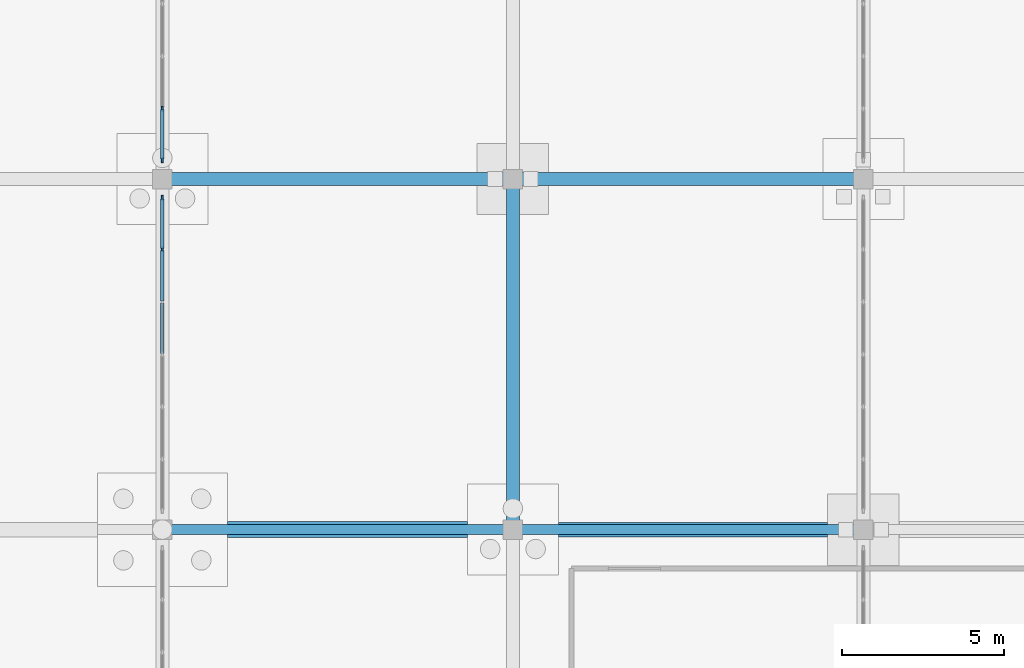
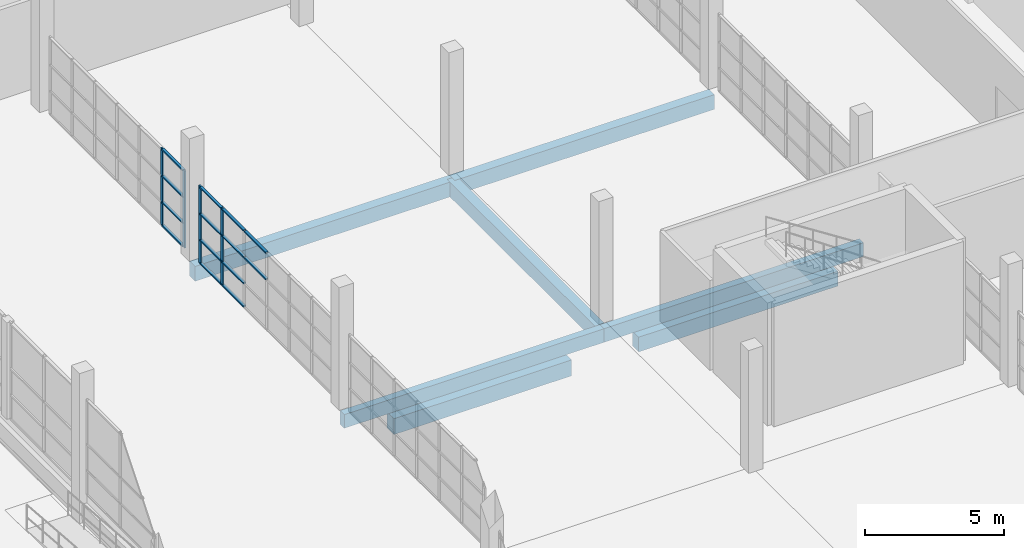
# One storey, part 40 of 138: 18 members, 7 beams, 2 elements without a shape of their own.
"""IFC4 building model written with IfcOpenShell, lengths in metres."""

from ifc_helpers import new_model, si_unit, direction, frame, origin, origin_2d, place, context, subcontext, project, spatial, rectangle, extrude, material, material_profile, profile_set, type_object, element, aggregate, save


model = new_model("IFC4")

# Units and contexts
model_context = context("Model", 3, precision=1e-05, world=origin(), true_north=direction((0.0, 1.0)))
body_context = subcontext(model_context, "Body", "Model", "MODEL_VIEW")
ifc_project = project(units=[si_unit("LENGTHUNIT", "METRE"), si_unit("AREAUNIT", "SQUARE_METRE"), si_unit("VOLUMEUNIT", "CUBIC_METRE"), si_unit("PLANEANGLEUNIT", "RADIAN"), si_unit("MASSUNIT", "GRAM", prefix="KILO")], contexts=[model_context])

# Site, building, storey
site_placement = place(None, origin())
site = spatial("IfcSite", under=ifc_project, at=site_placement, CompositionType="ELEMENT")
building_placement = place(site_placement, origin())
building = spatial("IfcBuilding", under=site, at=building_placement, Name="Zwinboog Wholesale Market", CompositionType="ELEMENT")
storey_placement = place(building_placement, origin())
storey = spatial("IfcBuildingStorey", under=building, at=storey_placement, Name="L00", CompositionType="ELEMENT", Elevation=0.0)

# Beams
ifc_material_1 = material(Name="Precast concrete C45/55", Category="concrete")
ifc_material_profile_1 = material_profile(ifc_material_1, rectangle(XDim=0.39990234375, YDim=0.64990234375, at=origin_2d()), Name="PC 400x650")
ifc_profile_set_1 = profile_set([ifc_material_profile_1], Name="Precast concrete C45/55")
beam_type_1 = type_object("IfcBeamType", Name="BT-05", PredefinedType="BEAM", material=ifc_profile_set_1)
beam_1_placement = place(storey_placement, frame((10.800048828125, 75.60009765625, -0.705078125), z_axis=(1.0, 0.0, 0.0), x_axis=(0.0, 1.0, 0.0)))
element("IfcBeam", 1, at=beam_1_placement, inside=storey, type_object=beam_type_1, Name="BG-05 (BMG-L00-0108-0756-0100)", PredefinedType="BEAM", context=body_context, shape_type="SweptSolid", body=[
    extrude(rectangle(XDim=0.39990234375, YDim=0.64990234375, at=origin_2d()), origin(), (0.0, 0.0, 1.0), 10.800048828125),
])
beam_2_placement = place(storey_placement, frame((21.60009765625, 75.60009765625, -0.705078125), z_axis=(1.0, 0.0, 0.0), x_axis=(0.0, 1.0, 0.0)))
element("IfcBeam", 2, at=beam_2_placement, inside=storey, type_object=beam_type_1, Name="BG-05 (BMG-L00-0216-0756-0101)", PredefinedType="BEAM", context=body_context, shape_type="SweptSolid", body=[
    extrude(rectangle(XDim=0.39990234375, YDim=0.64990234375, at=origin_2d()), origin(), (0.0, 0.0, 1.0), 10.7998046875),
])
beam_3_placement = place(storey_placement, frame((21.60009765625, 64.800048828125, -0.705078125), z_axis=(0.0, 1.0, 0.0), x_axis=(-1.0, 0.0, 0.0)))
element("IfcBeam", 3, at=beam_3_placement, inside=storey, type_object=beam_type_1, Name="BG-05 (BMG-L00-0216-0648-0241)", PredefinedType="BEAM", context=body_context, shape_type="SweptSolid", body=[
    extrude(rectangle(XDim=0.39990234375, YDim=0.64990234375, at=origin_2d()), origin(), (0.0, 0.0, 1.0), 10.800048828125),
])
ifc_material_profile_2 = material_profile(ifc_material_1, rectangle(XDim=0.300048828125, YDim=0.60009765625, at=origin_2d()), Name="PC 300x600")
ifc_profile_set_2 = profile_set([ifc_material_profile_2], Name="Precast concrete C45/55")
beam_type_2 = type_object("IfcBeamType", Name="BT-09", PredefinedType="SPANDREL", material=ifc_profile_set_2)
beam_4_placement = place(storey_placement, frame((10.800048828125, 64.800048828125, -0.679931640625), z_axis=(1.0, 0.0, 0.0), x_axis=(0.0, 1.0, 0.0)))
element("IfcBeam", 4, at=beam_4_placement, inside=storey, type_object=beam_type_2, Name="SP-02 (BMG-L00-0108-0648-0084)", PredefinedType="SPANDREL", context=body_context, shape_type="SweptSolid", body=[
    extrude(rectangle(XDim=0.300048828125, YDim=0.60009765625, at=origin_2d()), origin(), (0.0, 0.0, 1.0), 10.800048828125),
])
beam_5_placement = place(storey_placement, frame((21.60009765625, 64.800048828125, -0.679931640625), z_axis=(1.0, 0.0, 0.0), x_axis=(0.0, 1.0, 0.0)))
element("IfcBeam", 5, at=beam_5_placement, inside=storey, type_object=beam_type_2, Name="SP-02 (BMG-L00-0216-0648-0085)", PredefinedType="SPANDREL", context=body_context, shape_type="SweptSolid", body=[
    extrude(rectangle(XDim=0.300048828125, YDim=0.60009765625, at=origin_2d()), origin(), (0.0, 0.0, 1.0), 10.7998046875),
])
ifc_material_2 = material(Name="Concrete C35/45", Category="concrete")
ifc_material_profile_3 = material_profile(ifc_material_2, rectangle(XDim=0.5, YDim=0.699951171875, at=origin_2d()), Name="RC 500x700")
ifc_profile_set_3 = profile_set([ifc_material_profile_3], Name="Concrete C35/45")
beam_type_3 = type_object("IfcBeamType", Name="BT-12", PredefinedType="USERDEFINED", material=ifc_profile_set_3)
beam_6_placement = place(storey_placement, frame((12.804931640625, 64.800048828125, -1.550048828125), z_axis=(1.0, 0.0, 0.0), x_axis=(0.0, 1.0, 0.0)))
element("IfcBeam", 6, at=beam_6_placement, inside=storey, type_object=beam_type_3, Name="GB-01 (BM-GB-0051)", ObjectType="GROUND_BEAM", PredefinedType="USERDEFINED", context=body_context, shape_type="SweptSolid", body=[
    extrude(rectangle(XDim=0.5, YDim=0.699951171875, at=origin_2d()), origin(), (0.0, 0.0, 1.0), 7.39013671875),
])
ifc_material_profile_4 = material_profile(ifc_material_2, rectangle(XDim=0.449951171875, YDim=0.64990234375, at=origin_2d()), Name="RC 450x650")
ifc_profile_set_4 = profile_set([ifc_material_profile_4], Name="Concrete C35/45")
beam_type_4 = type_object("IfcBeamType", Name="BT-13", PredefinedType="USERDEFINED", material=ifc_profile_set_4)
beam_7_placement = place(storey_placement, frame((23.0048828125, 64.800048828125, -1.52490234375), z_axis=(1.0, 0.0, 0.0), x_axis=(0.0, 1.0, 0.0)))
element("IfcBeam", 7, at=beam_7_placement, inside=storey, type_object=beam_type_4, Name="GB-02 (BM-GB-0052)", ObjectType="GROUND_BEAM", PredefinedType="USERDEFINED", context=body_context, shape_type="SweptSolid", body=[
    extrude(rectangle(XDim=0.449951171875, YDim=0.64990234375, at=origin_2d()), origin(), (0.0, 0.0, 1.0), 8.2900390625),
])

# Curtain wall, members
ifc_material_3 = material(Name="Aluminium thermally broken curtain wall", Category="aluminium")
curtain_wall_type = type_object("IfcCurtainWallType", Name="CWT-INT-STALL", PredefinedType="USERDEFINED", material=ifc_material_3)
curtain_wall_1_placement = place(storey_placement, origin())
curtain_wall_1 = element("IfcCurtainWall", 8, at=curtain_wall_1_placement, inside=storey, type_object=curtain_wall_type, Name="CW-07 (CW-STL-215)", ObjectType="STOREFRONT_GLAZING", PredefinedType="USERDEFINED")
ifc_material_4 = material(Name="Aluminium EN AW-6060", Category="aluminium")
ifc_material_profile_5 = material_profile(ifc_material_4, rectangle(XDim=0.06005859375, YDim=0.14990234375, at=origin_2d()), Name="AL 60x150")
ifc_profile_set_5 = profile_set([ifc_material_profile_5], Name="Aluminium EN AW-6060")
member_type_1 = type_object("IfcMemberType", Name="CWM-INT-60x120", PredefinedType="MULLION", material=ifc_profile_set_5)
member_1_placement = place(storey_placement, frame((10.800048828125, 73.433349609375, 0.0), z_axis=(0.0, 0.0, 1.0), x_axis=(-1.0, 0.0, 0.0)))
member_1 = element("IfcMember", 9, at=member_1_placement, type_object=member_type_1, Name="CW-07 mullion 6", PredefinedType="MULLION", context=body_context, shape_type="SweptSolid", body=[
    extrude(rectangle(XDim=0.06005859375, YDim=0.14990234375, at=origin_2d()), origin(), (0.0, 0.0, 1.0), 3.39990234375),
])
member_2_placement = place(storey_placement, frame((10.800048828125, 75.02001953125, 0.0), z_axis=(0.0, 0.0, 1.0), x_axis=(-1.0, 0.0, 0.0)))
member_2 = element("IfcMember", 10, at=member_2_placement, type_object=member_type_1, Name="CW-07 mullion 7", PredefinedType="MULLION", context=body_context, shape_type="SweptSolid", body=[
    extrude(rectangle(XDim=0.06005859375, YDim=0.14990234375, at=origin_2d()), origin(), (0.0, 0.0, 1.0), 3.39990234375),
])

curtain_wall_2_placement = place(storey_placement, origin())
curtain_wall_2 = element("IfcCurtainWall", 11, at=curtain_wall_2_placement, inside=storey, type_object=curtain_wall_type, Name="CW-07 (CW-STL-216)", ObjectType="STOREFRONT_GLAZING", PredefinedType="USERDEFINED")
member_3_placement = place(storey_placement, frame((10.800048828125, 76.179931640625, 0.0), z_axis=(0.0, 0.0, 1.0), x_axis=(-1.0, 0.0, 0.0)))
member_3 = element("IfcMember", 12, at=member_3_placement, type_object=member_type_1, Name="CW-07 mullion 1", PredefinedType="MULLION", context=body_context, shape_type="SweptSolid", body=[
    extrude(rectangle(XDim=0.06005859375, YDim=0.14990234375, at=origin_2d()), origin(), (0.0, 0.0, 1.0), 3.39990234375),
])
member_4_placement = place(storey_placement, frame((10.800048828125, 77.7666015625, 0.0), z_axis=(0.0, 0.0, 1.0), x_axis=(-1.0, 0.0, 0.0)))
member_4 = element("IfcMember", 13, at=member_4_placement, type_object=member_type_1, Name="CW-07 mullion 2", PredefinedType="MULLION", context=body_context, shape_type="SweptSolid", body=[
    extrude(rectangle(XDim=0.06005859375, YDim=0.14990234375, at=origin_2d()), origin(), (0.0, 0.0, 1.0), 3.39990234375),
])

# Member
ifc_material_profile_6 = material_profile(ifc_material_4, rectangle(XDim=0.110107421875, YDim=0.06005859375, at=origin_2d()), Name="AL 60x110")
ifc_profile_set_6 = profile_set([ifc_material_profile_6], Name="Aluminium EN AW-6060")
member_type_2 = type_object("IfcMemberType", Name="CWT-INT-60x100", PredefinedType="USERDEFINED", material=ifc_profile_set_6)
member_5_placement = place(storey_placement, frame((10.800048828125, 70.22998046875, 2.199951171875), z_axis=(0.0, 1.0, 0.0), x_axis=(-1.0, 0.0, 0.0)))
member_5 = element("IfcMember", 14, at=member_5_placement, type_object=member_type_2, Name="CW-07 transom 4.3", ObjectType="TRANSOM", PredefinedType="USERDEFINED", context=body_context, shape_type="SweptSolid", body=[
    extrude(rectangle(XDim=0.110107421875, YDim=0.06005859375, at=origin_2d()), origin(), (0.0, 0.0, 1.0), 1.556640625),
])

member_6_placement = place(storey_placement, frame((10.800048828125, 70.22998046875, 3.3701171875), z_axis=(0.0, 1.0, 0.0), x_axis=(-1.0, 0.0, 0.0)))
member_6 = element("IfcMember", 15, at=member_6_placement, type_object=member_type_2, Name="CW-07 transom 4.4", ObjectType="TRANSOM", PredefinedType="USERDEFINED", context=body_context, shape_type="SweptSolid", body=[
    extrude(rectangle(XDim=0.110107421875, YDim=0.06005859375, at=origin_2d()), origin(), (0.0, 0.0, 1.0), 1.556640625),
])

member_7_placement = place(storey_placement, frame((10.800048828125, 71.8466796875, 0.030029296875), z_axis=(0.0, 1.0, 0.0), x_axis=(-1.0, 0.0, 0.0)))
member_7 = element("IfcMember", 16, at=member_7_placement, type_object=member_type_2, Name="CW-07 transom 5.1", ObjectType="TRANSOM", PredefinedType="USERDEFINED", context=body_context, shape_type="SweptSolid", body=[
    extrude(rectangle(XDim=0.110107421875, YDim=0.06005859375, at=origin_2d()), origin(), (0.0, 0.0, 1.0), 1.556640625),
])

member_8_placement = place(storey_placement, frame((10.800048828125, 71.8466796875, 1.050048828125), z_axis=(0.0, 1.0, 0.0), x_axis=(-1.0, 0.0, 0.0)))
member_8 = element("IfcMember", 17, at=member_8_placement, type_object=member_type_2, Name="CW-07 transom 5.2", ObjectType="TRANSOM", PredefinedType="USERDEFINED", context=body_context, shape_type="SweptSolid", body=[
    extrude(rectangle(XDim=0.110107421875, YDim=0.06005859375, at=origin_2d()), origin(), (0.0, 0.0, 1.0), 1.556640625),
])

member_9_placement = place(storey_placement, frame((10.800048828125, 71.8466796875, 2.199951171875), z_axis=(0.0, 1.0, 0.0), x_axis=(-1.0, 0.0, 0.0)))
member_9 = element("IfcMember", 18, at=member_9_placement, type_object=member_type_2, Name="CW-07 transom 5.3", ObjectType="TRANSOM", PredefinedType="USERDEFINED", context=body_context, shape_type="SweptSolid", body=[
    extrude(rectangle(XDim=0.110107421875, YDim=0.06005859375, at=origin_2d()), origin(), (0.0, 0.0, 1.0), 1.556640625),
])

member_10_placement = place(storey_placement, frame((10.800048828125, 71.8466796875, 3.3701171875), z_axis=(0.0, 1.0, 0.0), x_axis=(-1.0, 0.0, 0.0)))
member_10 = element("IfcMember", 19, at=member_10_placement, type_object=member_type_2, Name="CW-07 transom 5.4", ObjectType="TRANSOM", PredefinedType="USERDEFINED", context=body_context, shape_type="SweptSolid", body=[
    extrude(rectangle(XDim=0.110107421875, YDim=0.06005859375, at=origin_2d()), origin(), (0.0, 0.0, 1.0), 1.556640625),
])

member_11_placement = place(storey_placement, frame((10.800048828125, 73.46337890625, 0.030029296875), z_axis=(0.0, 1.0, 0.0), x_axis=(-1.0, 0.0, 0.0)))
member_11 = element("IfcMember", 20, at=member_11_placement, type_object=member_type_2, Name="CW-07 transom 6.1", ObjectType="TRANSOM", PredefinedType="USERDEFINED", context=body_context, shape_type="SweptSolid", body=[
    extrude(rectangle(XDim=0.110107421875, YDim=0.06005859375, at=origin_2d()), origin(), (0.0, 0.0, 1.0), 1.526611328125),
])

member_12_placement = place(storey_placement, frame((10.800048828125, 73.46337890625, 1.050048828125), z_axis=(0.0, 1.0, 0.0), x_axis=(-1.0, 0.0, 0.0)))
member_12 = element("IfcMember", 21, at=member_12_placement, type_object=member_type_2, Name="CW-07 transom 6.2", ObjectType="TRANSOM", PredefinedType="USERDEFINED", context=body_context, shape_type="SweptSolid", body=[
    extrude(rectangle(XDim=0.110107421875, YDim=0.06005859375, at=origin_2d()), origin(), (0.0, 0.0, 1.0), 1.526611328125),
])

member_13_placement = place(storey_placement, frame((10.800048828125, 73.46337890625, 2.199951171875), z_axis=(0.0, 1.0, 0.0), x_axis=(-1.0, 0.0, 0.0)))
member_13 = element("IfcMember", 22, at=member_13_placement, type_object=member_type_2, Name="CW-07 transom 6.3", ObjectType="TRANSOM", PredefinedType="USERDEFINED", context=body_context, shape_type="SweptSolid", body=[
    extrude(rectangle(XDim=0.110107421875, YDim=0.06005859375, at=origin_2d()), origin(), (0.0, 0.0, 1.0), 1.526611328125),
])

member_14_placement = place(storey_placement, frame((10.800048828125, 73.46337890625, 3.3701171875), z_axis=(0.0, 1.0, 0.0), x_axis=(-1.0, 0.0, 0.0)))
member_14 = element("IfcMember", 23, at=member_14_placement, type_object=member_type_2, Name="CW-07 transom 6.4", ObjectType="TRANSOM", PredefinedType="USERDEFINED", context=body_context, shape_type="SweptSolid", body=[
    extrude(rectangle(XDim=0.110107421875, YDim=0.06005859375, at=origin_2d()), origin(), (0.0, 0.0, 1.0), 1.526611328125),
])

aggregate(curtain_wall_1, [member_1, member_2, member_5, member_6, member_7, member_8, member_9, member_10, member_11, member_12, member_13, member_14])

member_15_placement = place(storey_placement, frame((10.800048828125, 76.2099609375, 0.030029296875), z_axis=(0.0, 1.0, 0.0), x_axis=(-1.0, 0.0, 0.0)))
member_15 = element("IfcMember", 24, at=member_15_placement, type_object=member_type_2, Name="CW-07 transom 1.1", ObjectType="TRANSOM", PredefinedType="USERDEFINED", context=body_context, shape_type="SweptSolid", body=[
    extrude(rectangle(XDim=0.110107421875, YDim=0.06005859375, at=origin_2d()), origin(), (0.0, 0.0, 1.0), 1.526611328125),
])

member_16_placement = place(storey_placement, frame((10.800048828125, 76.2099609375, 1.050048828125), z_axis=(0.0, 1.0, 0.0), x_axis=(-1.0, 0.0, 0.0)))
member_16 = element("IfcMember", 25, at=member_16_placement, type_object=member_type_2, Name="CW-07 transom 1.2", ObjectType="TRANSOM", PredefinedType="USERDEFINED", context=body_context, shape_type="SweptSolid", body=[
    extrude(rectangle(XDim=0.110107421875, YDim=0.06005859375, at=origin_2d()), origin(), (0.0, 0.0, 1.0), 1.526611328125),
])

member_17_placement = place(storey_placement, frame((10.800048828125, 76.2099609375, 2.199951171875), z_axis=(0.0, 1.0, 0.0), x_axis=(-1.0, 0.0, 0.0)))
member_17 = element("IfcMember", 26, at=member_17_placement, type_object=member_type_2, Name="CW-07 transom 1.3", ObjectType="TRANSOM", PredefinedType="USERDEFINED", context=body_context, shape_type="SweptSolid", body=[
    extrude(rectangle(XDim=0.110107421875, YDim=0.06005859375, at=origin_2d()), origin(), (0.0, 0.0, 1.0), 1.526611328125),
])

member_18_placement = place(storey_placement, frame((10.800048828125, 76.2099609375, 3.3701171875), z_axis=(0.0, 1.0, 0.0), x_axis=(-1.0, 0.0, 0.0)))
member_18 = element("IfcMember", 27, at=member_18_placement, type_object=member_type_2, Name="CW-07 transom 1.4", ObjectType="TRANSOM", PredefinedType="USERDEFINED", context=body_context, shape_type="SweptSolid", body=[
    extrude(rectangle(XDim=0.110107421875, YDim=0.06005859375, at=origin_2d()), origin(), (0.0, 0.0, 1.0), 1.526611328125),
])

aggregate(curtain_wall_2, [member_3, member_4, member_15, member_16, member_17, member_18])

save(model, "model.ifc")
